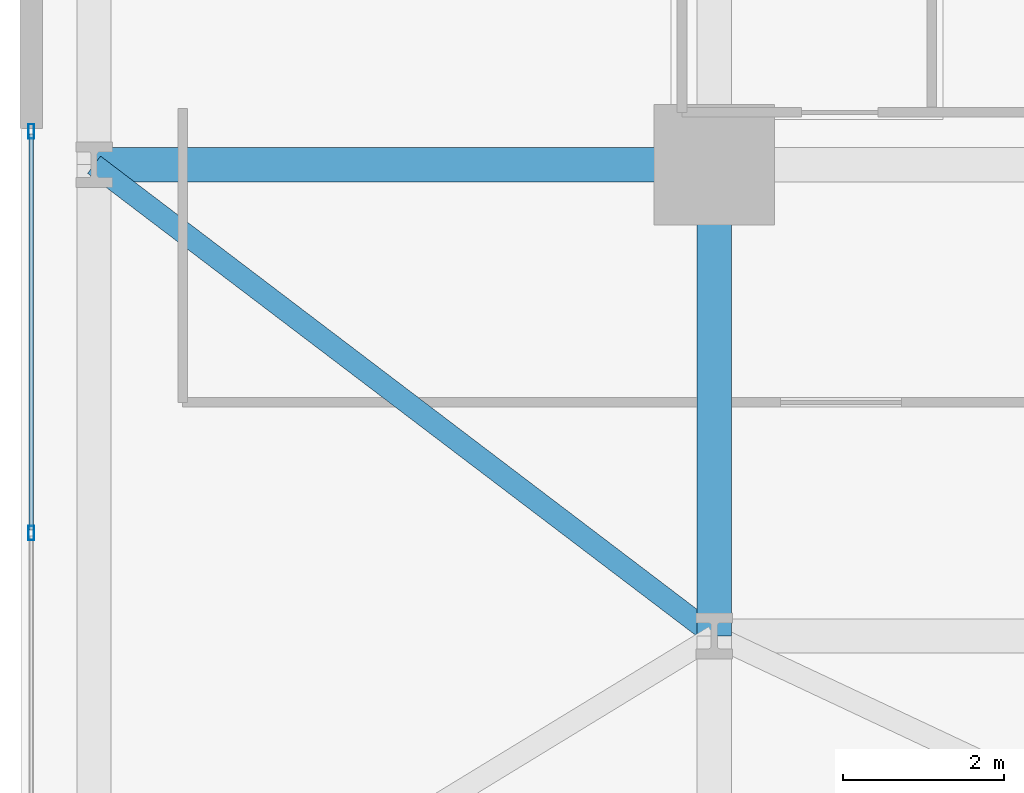
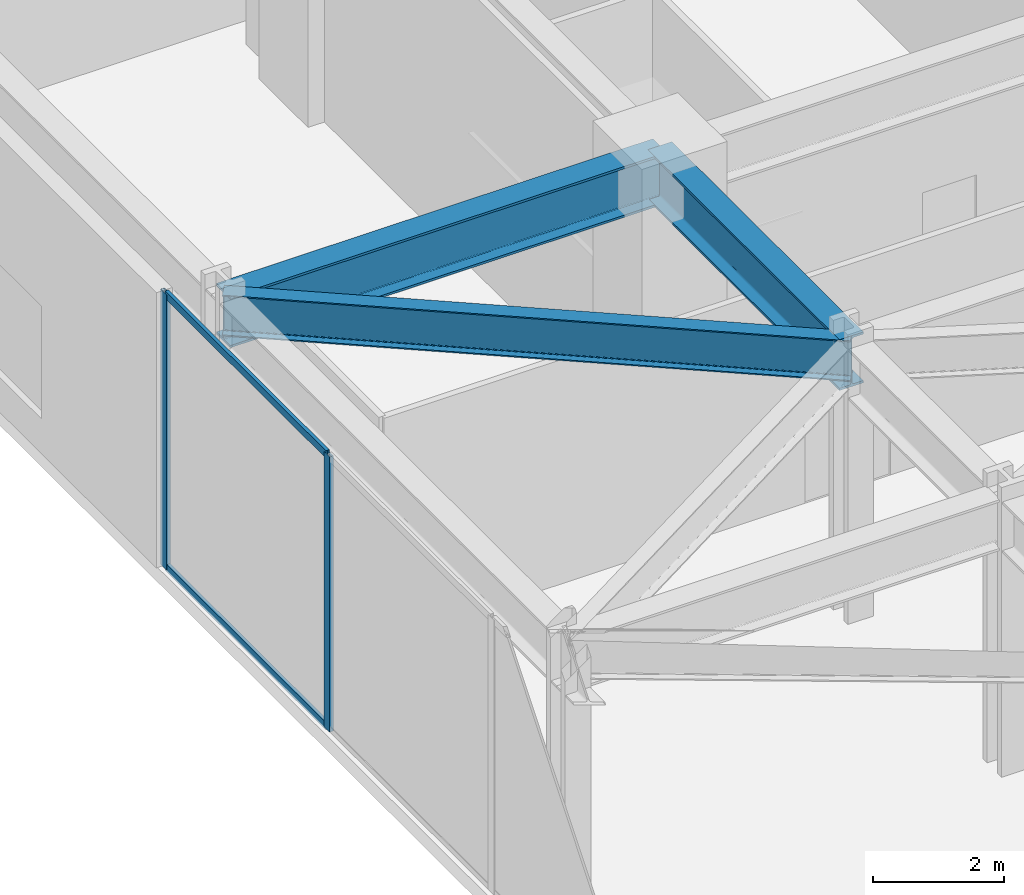
# One storey, part 19 of 29: 4 members, 3 beams, 1 element without a shape of its own.
"""IFC4 building model written with IfcOpenShell, lengths in metres."""

from ifc_helpers import new_model, si_unit, direction, frame, origin, origin_2d, place, context, subcontext, project, spatial, hollow_rectangle, i_section, extrude, material, layer, layer_set, material_profile, profile_set, type_object, element, aggregate, save


model = new_model("IFC4")

# Units and contexts
model_context = context("Model", 3, precision=1e-05, world=origin(), true_north=direction((0.0, 1.0)))
body_context = subcontext(model_context, "Body", "Model", "MODEL_VIEW")
ifc_project = project(units=[si_unit("LENGTHUNIT", "METRE"), si_unit("AREAUNIT", "SQUARE_METRE"), si_unit("VOLUMEUNIT", "CUBIC_METRE"), si_unit("PLANEANGLEUNIT", "RADIAN"), si_unit("MASSUNIT", "GRAM", prefix="KILO")], contexts=[model_context])

# Site, building, storey
site_placement = place(None, origin())
site = spatial("IfcSite", under=ifc_project, at=site_placement, CompositionType="ELEMENT")
building_placement = place(site_placement, origin())
building = spatial("IfcBuilding", under=site, at=building_placement, Name="Kravanh Interchange Tower", CompositionType="ELEMENT")
storey_placement = place(building_placement, frame((0.0, 0.0, 5.39990234375)))
storey = spatial("IfcBuildingStorey", under=building, at=storey_placement, Name="L01", CompositionType="ELEMENT", Elevation=5.39990234375)

# Curtain wall, members
ifc_material_1 = material(Name="Anodised Bronze Aluminium", Category="aluminium")
ifc_layer = layer(ifc_material_1, 0.179931640625)
ifc_layer_set = layer_set([ifc_layer], Name="Unitised Curtain Wall System CW-POD Podium Concourse")
curtain_wall_type = type_object("IfcCurtainWallType", Name="Unitised Curtain Wall System CW-POD Podium Concourse", PredefinedType="NOTDEFINED", material=ifc_layer_set)
curtain_wall_placement = place(storey_placement, origin())
curtain_wall = element("IfcCurtainWall", 1, at=curtain_wall_placement, inside=storey, type_object=curtain_wall_type, Name="L01 Unitised Curtain Wall CW-L01-01", PredefinedType="NOTDEFINED")
ifc_material_2 = material(Name="Anodised Bronze Aluminium", Category="aluminium")
ifc_material_profile_1 = material_profile(ifc_material_2, hollow_rectangle(XDim=0.070068359375, YDim=0.179931640625, WallThickness=0.00390625, at=origin_2d()), Name="ALU70X180X4")
ifc_profile_set_1 = profile_set([ifc_material_profile_1], Name="Anodised Bronze Aluminium")
member_type_1 = type_object("IfcMemberType", Name="Curtain Wall Mullion ALU70X180X4 Bronze", PredefinedType="MULLION", material=ifc_profile_set_1)
member_1_placement = place(storey_placement, frame((0.1201171875, 32.778564453125, 0.0), z_axis=(0.0, 0.0, 1.0), x_axis=(-1.0, 0.0, 0.0)))
member_1 = element("IfcMember", 2, at=member_1_placement, type_object=member_type_1, Name="CW-POD mullion 7", PredefinedType="MULLION", context=body_context, shape_type="SweptSolid", body=[
    extrude(hollow_rectangle(XDim=0.070068359375, YDim=0.179931640625, WallThickness=0.00390625, at=origin_2d()), origin(), (0.0, 0.0, 1.0), 5.130126953125),
])
member_2_placement = place(storey_placement, frame((0.1201171875, 37.764892578125, 0.0), z_axis=(0.0, 0.0, 1.0), x_axis=(-1.0, 0.0, 0.0)))
member_2 = element("IfcMember", 3, at=member_2_placement, type_object=member_type_1, Name="CW-POD mullion 8", PredefinedType="MULLION", context=body_context, shape_type="SweptSolid", body=[
    extrude(hollow_rectangle(XDim=0.070068359375, YDim=0.179931640625, WallThickness=0.00390625, at=origin_2d()), origin(), (0.0, 0.0, 1.0), 5.130126953125),
])
ifc_material_3 = material(Name="Anodised Bronze Aluminium", Category="aluminium")
ifc_material_profile_2 = material_profile(ifc_material_3, hollow_rectangle(XDim=0.06005859375, YDim=0.139892578125, WallThickness=0.00390625, at=origin_2d()), Name="ALU60X140X4")
ifc_profile_set_2 = profile_set([ifc_material_profile_2], Name="Anodised Bronze Aluminium")
member_type_2 = type_object("IfcMemberType", Name="Curtain Wall Transom ALU60X140X4 Bronze", PredefinedType="USERDEFINED", material=ifc_profile_set_2)
member_3_placement = place(storey_placement, frame((0.1201171875, 32.8134765625, 0.030029296875), z_axis=(0.0, 1.0, 0.0), x_axis=(-1.0, 0.0, 0.0)))
member_3 = element("IfcMember", 4, at=member_3_placement, type_object=member_type_2, Name="CW-POD transom 7.1", ObjectType="TRANSOM", PredefinedType="USERDEFINED", context=body_context, shape_type="SweptSolid", body=[
    extrude(hollow_rectangle(XDim=0.06005859375, YDim=0.139892578125, WallThickness=0.00390625, at=origin_2d()), origin(), (0.0, 0.0, 1.0), 4.91650390625),
])
member_4_placement = place(storey_placement, frame((0.1201171875, 32.8134765625, 5.10009765625), z_axis=(0.0, 1.0, 0.0), x_axis=(-1.0, 0.0, 0.0)))
member_4 = element("IfcMember", 5, at=member_4_placement, type_object=member_type_2, Name="CW-POD transom 7.2", ObjectType="TRANSOM", PredefinedType="USERDEFINED", context=body_context, shape_type="SweptSolid", body=[
    extrude(hollow_rectangle(XDim=0.06005859375, YDim=0.139892578125, WallThickness=0.00390625, at=origin_2d()), origin(), (0.0, 0.0, 1.0), 4.91650390625),
])
aggregate(curtain_wall, [member_1, member_2, member_3, member_4])

# Beams
ifc_material_4 = material(Name="Structural Steel S450", Category="steel")
ifc_material_profile_3 = material_profile(ifc_material_4, i_section(OverallWidth=0.423095703125, OverallDepth=0.947998046875, WebThickness=0.02392578125, FlangeThickness=0.042724609375, FilletRadius=0.028076171875, at=origin_2d()), Name="W36X302")
ifc_profile_set_3 = profile_set([ifc_material_profile_3], Name="Structural Steel S450")
beam_type_1 = type_object("IfcBeamType", Name="Floor Beam W36X302 Structural Steel S450", PredefinedType="BEAM", material=ifc_profile_set_3)
beam_1_placement = place(storey_placement, frame((8.60009765625, 31.5, 4.656005859375), z_axis=(0.0, 1.0, 0.0), x_axis=(-1.0, 0.0, 0.0)))
element("IfcBeam", 6, at=beam_1_placement, inside=storey, type_object=beam_type_1, Name="L01 Primary Floor Girder 104", PredefinedType="BEAM", context=body_context, shape_type="SweptSolid", body=[
    extrude(i_section(OverallWidth=0.423095703125, OverallDepth=0.947998046875, WebThickness=0.02392578125, FlangeThickness=0.042724609375, FilletRadius=0.028076171875, at=origin_2d()), origin(), (0.0, 0.0, 1.0), 5.85009765625),
])
beam_2_placement = place(storey_placement, frame((0.89990234375, 37.35009765625, 4.656005859375), z_axis=(1.0, 0.0, 0.0), x_axis=(0.0, 1.0, 0.0)))
element("IfcBeam", 7, at=beam_2_placement, inside=storey, type_object=beam_type_1, Name="L01 Primary Floor Girder 125", PredefinedType="BEAM", context=body_context, shape_type="SweptSolid", body=[
    extrude(i_section(OverallWidth=0.423095703125, OverallDepth=0.947998046875, WebThickness=0.02392578125, FlangeThickness=0.042724609375, FilletRadius=0.028076171875, at=origin_2d()), origin(), (0.0, 0.0, 1.0), 7.7001953125),
])
ifc_material_5 = material(Name="Structural Steel S355", Category="steel")
ifc_material_profile_4 = material_profile(ifc_material_5, i_section(OverallWidth=0.26708984375, OverallDepth=0.761962890625, WebThickness=0.014404296875, FlangeThickness=0.021484375, FilletRadius=0.02490234375, at=origin_2d()), Name="W30X116")
ifc_profile_set_4 = profile_set([ifc_material_profile_4], Name="Structural Steel S355")
beam_type_2 = type_object("IfcBeamType", Name="Floor Spandrel W30X116 Structural Steel S355", PredefinedType="SPANDREL", material=ifc_profile_set_4)
beam_3_placement = place(storey_placement, frame((8.60009765625, 31.5, 4.7490234375), z_axis=(-0.796264345287, 0.604948834552, 0.0), x_axis=(-0.604948834552, -0.796264345287, 0.0)))
element("IfcBeam", 8, at=beam_3_placement, inside=storey, type_object=beam_type_2, Name="L01 Perimeter Spandrel 106", PredefinedType="SPANDREL", context=body_context, shape_type="SweptSolid", body=[
    extrude(i_section(OverallWidth=0.26708984375, OverallDepth=0.761962890625, WebThickness=0.014404296875, FlangeThickness=0.021484375, FilletRadius=0.02490234375, at=origin_2d()), origin(), (0.0, 0.0, 1.0), 9.67041015625),
])

save(model, "model.ifc")
